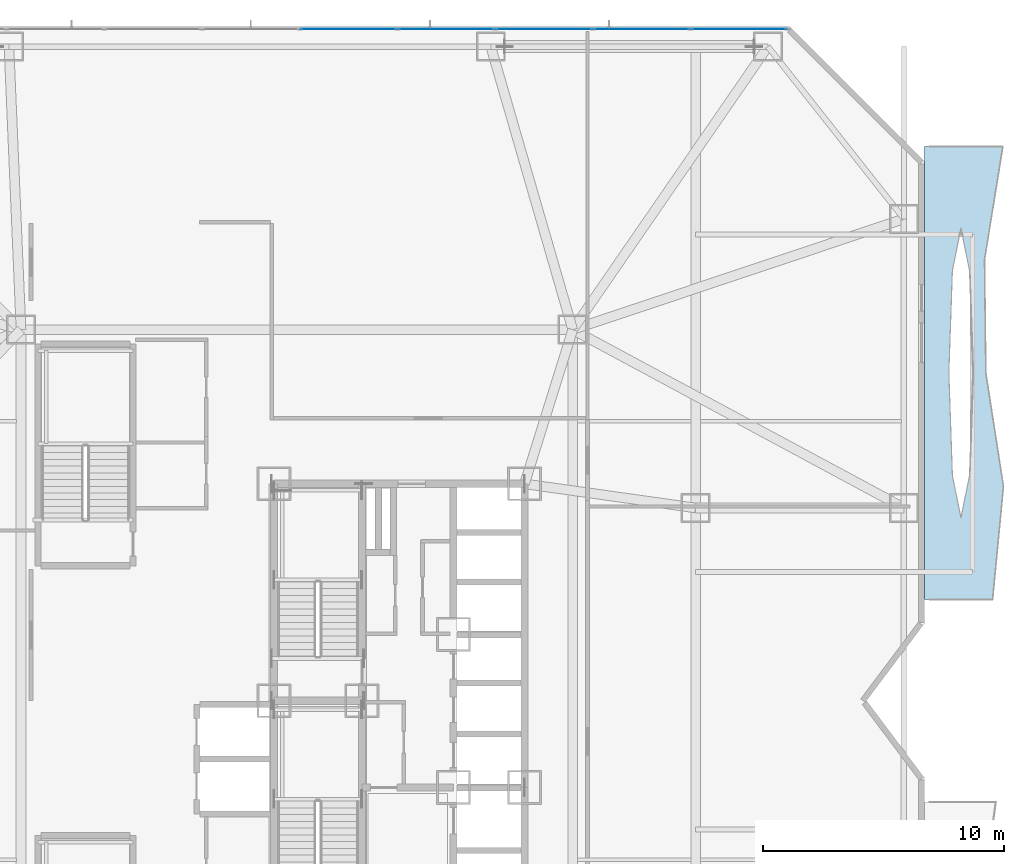
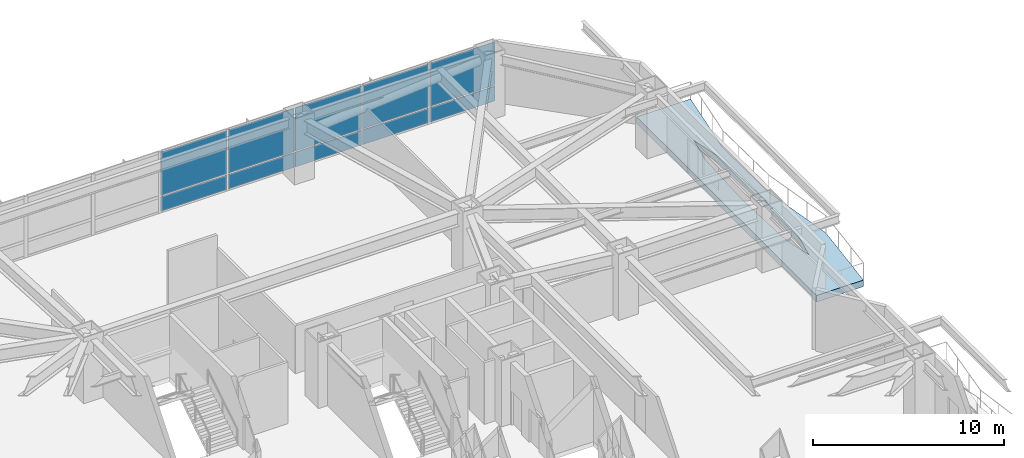
# One storey, part 13 of 24: 10 plates, 1 slab, 1 element without a shape of its own.
"""IFC4 building model written with IfcOpenShell, lengths in metres."""

from ifc_helpers import new_model, si_unit, direction, frame, origin, origin_2d, place, context, subcontext, project, spatial, polyline, rectangle, outline, extrude, material, layer, layer_set, type_object, element, aggregate, save


model = new_model("IFC4")

# Units and contexts
model_context = context("Model", 3, precision=1e-05, world=origin(), true_north=direction((0.0, 1.0)))
body_context = subcontext(model_context, "Body", "Model", "MODEL_VIEW")
ifc_project = project(units=[si_unit("LENGTHUNIT", "METRE"), si_unit("AREAUNIT", "SQUARE_METRE"), si_unit("VOLUMEUNIT", "CUBIC_METRE"), si_unit("PLANEANGLEUNIT", "RADIAN"), si_unit("MASSUNIT", "GRAM", prefix="KILO")], contexts=[model_context])

# Site, building, storey
site_placement = place(None, origin())
site = spatial("IfcSite", under=ifc_project, at=site_placement, CompositionType="ELEMENT")
building_placement = place(site_placement, origin())
building = spatial("IfcBuilding", under=site, at=building_placement, Name="Khamvora Tower", CompositionType="ELEMENT")
storey_placement = place(building_placement, frame((0.0, 0.0, 20.39990234375)))
storey = spatial("IfcBuildingStorey", under=building, at=storey_placement, Name="L04", CompositionType="ELEMENT", Elevation=20.39990234375)

# Curtain wall, plates
ifc_material_1 = material(Name="Anodised Aluminium 6063-T6", Category="aluminium")
curtain_wall_type = type_object("IfcCurtainWallType", Name="CW-SYS-01", PredefinedType="NOTDEFINED", material=ifc_material_1)
curtain_wall_placement = place(storey_placement, origin())
curtain_wall = element("IfcCurtainWall", 1, at=curtain_wall_placement, inside=storey, type_object=curtain_wall_type, Name="L04 stick curtain wall 07.1", PredefinedType="NOTDEFINED")
ifc_material_2 = material(Name="Low-E Laminated Double Glazing", Category="glass")
ifc_layer_1 = layer(ifc_material_2, 0.035888671875)
ifc_layer_set_1 = layer_set([ifc_layer_1], Name="Low-E Laminated Double Glazing")
plate_type = type_object("IfcPlateType", Name="CW-SYS-01-PNL", PredefinedType="CURTAIN_PANEL", material=ifc_layer_set_1)
plate_1_placement = place(storey_placement, frame((32.09521484375, 55.8798828125, 0.0751953125), z_axis=(0.0, 0.0, 1.0), x_axis=(1.0, 0.0, 0.0)))
plate_1 = element("IfcPlate", 2, at=plate_1_placement, type_object=plate_type, Name="CW-01 panel 7.1", PredefinedType="CURTAIN_PANEL", context=body_context, shape_type="SweptSolid", body=[
    extrude(rectangle(XDim=3.981689453125, YDim=0.035888671875, at=origin_2d()), origin(), (0.0, 0.0, 1.0), 0.9375),
])
plate_2_placement = place(storey_placement, frame((32.09521484375, 55.8798828125, 1.08740234375), z_axis=(0.0, 0.0, 1.0), x_axis=(1.0, 0.0, 0.0)))
plate_2 = element("IfcPlate", 3, at=plate_2_placement, type_object=plate_type, Name="CW-01 panel 7.2", PredefinedType="CURTAIN_PANEL", context=body_context, shape_type="SweptSolid", body=[
    extrude(rectangle(XDim=3.981689453125, YDim=0.035888671875, at=origin_2d()), origin(), (0.0, 0.0, 1.0), 2.757568359375),
])
plate_3_placement = place(storey_placement, frame((36.15185546875, 55.8798828125, 0.0751953125), z_axis=(0.0, 0.0, 1.0), x_axis=(1.0, 0.0, 0.0)))
plate_3 = element("IfcPlate", 4, at=plate_3_placement, type_object=plate_type, Name="CW-01 panel 8.1", PredefinedType="CURTAIN_PANEL", context=body_context, shape_type="SweptSolid", body=[
    extrude(rectangle(XDim=3.981689453125, YDim=0.035888671875, at=origin_2d()), origin(), (0.0, 0.0, 1.0), 0.9375),
])
plate_4_placement = place(storey_placement, frame((36.15185546875, 55.8798828125, 1.08740234375), z_axis=(0.0, 0.0, 1.0), x_axis=(1.0, 0.0, 0.0)))
plate_4 = element("IfcPlate", 5, at=plate_4_placement, type_object=plate_type, Name="CW-01 panel 8.2", PredefinedType="CURTAIN_PANEL", context=body_context, shape_type="SweptSolid", body=[
    extrude(rectangle(XDim=3.981689453125, YDim=0.035888671875, at=origin_2d()), origin(), (0.0, 0.0, 1.0), 2.757568359375),
])
plate_5_placement = place(storey_placement, frame((40.20849609375, 55.8798828125, 0.0751953125), z_axis=(0.0, 0.0, 1.0), x_axis=(1.0, 0.0, 0.0)))
plate_5 = element("IfcPlate", 6, at=plate_5_placement, type_object=plate_type, Name="CW-01 panel 9.1", PredefinedType="CURTAIN_PANEL", context=body_context, shape_type="SweptSolid", body=[
    extrude(rectangle(XDim=3.981689453125, YDim=0.035888671875, at=origin_2d()), origin(), (0.0, 0.0, 1.0), 0.9375),
])
plate_6_placement = place(storey_placement, frame((40.20849609375, 55.8798828125, 1.08740234375), z_axis=(0.0, 0.0, 1.0), x_axis=(1.0, 0.0, 0.0)))
plate_6 = element("IfcPlate", 7, at=plate_6_placement, type_object=plate_type, Name="CW-01 panel 9.2", PredefinedType="CURTAIN_PANEL", context=body_context, shape_type="SweptSolid", body=[
    extrude(rectangle(XDim=3.981689453125, YDim=0.035888671875, at=origin_2d()), origin(), (0.0, 0.0, 1.0), 2.757568359375),
])
plate_7_placement = place(storey_placement, frame((44.26513671875, 55.8798828125, 0.0751953125), z_axis=(0.0, 0.0, 1.0), x_axis=(1.0, 0.0, 0.0)))
plate_7 = element("IfcPlate", 8, at=plate_7_placement, type_object=plate_type, Name="CW-01 panel 10.1", PredefinedType="CURTAIN_PANEL", context=body_context, shape_type="SweptSolid", body=[
    extrude(rectangle(XDim=3.981689453125, YDim=0.035888671875, at=origin_2d()), origin(), (0.0, 0.0, 1.0), 0.9375),
])
plate_8_placement = place(storey_placement, frame((44.26513671875, 55.8798828125, 1.08740234375), z_axis=(0.0, 0.0, 1.0), x_axis=(1.0, 0.0, 0.0)))
plate_8 = element("IfcPlate", 9, at=plate_8_placement, type_object=plate_type, Name="CW-01 panel 10.2", PredefinedType="CURTAIN_PANEL", context=body_context, shape_type="SweptSolid", body=[
    extrude(rectangle(XDim=3.981689453125, YDim=0.035888671875, at=origin_2d()), origin(), (0.0, 0.0, 1.0), 2.757568359375),
])
plate_9_placement = place(storey_placement, frame((48.302978515625, 55.8798828125, 0.0751953125), z_axis=(0.0, 0.0, 1.0), x_axis=(1.0, 0.0, 0.0)))
plate_9 = element("IfcPlate", 10, at=plate_9_placement, type_object=plate_type, Name="CW-01 panel 11.1", PredefinedType="CURTAIN_PANEL", context=body_context, shape_type="SweptSolid", body=[
    extrude(rectangle(XDim=3.944091796875, YDim=0.035888671875, at=origin_2d()), origin(), (0.0, 0.0, 1.0), 0.9375),
])
plate_10_placement = place(storey_placement, frame((48.302978515625, 55.8798828125, 1.08740234375), z_axis=(0.0, 0.0, 1.0), x_axis=(1.0, 0.0, 0.0)))
plate_10 = element("IfcPlate", 11, at=plate_10_placement, type_object=plate_type, Name="CW-01 panel 11.2", PredefinedType="CURTAIN_PANEL", context=body_context, shape_type="SweptSolid", body=[
    extrude(rectangle(XDim=3.944091796875, YDim=0.035888671875, at=origin_2d()), origin(), (0.0, 0.0, 1.0), 2.757568359375),
])
aggregate(curtain_wall, [plate_1, plate_2, plate_3, plate_4, plate_5, plate_6, plate_7, plate_8, plate_9, plate_10])

# Slab
ifc_material_3 = material(Name="Concrete C40/50", Category="concrete")
ifc_layer_2 = layer(ifc_material_3, 0.419921875)
ifc_layer_set_2 = layer_set([ifc_layer_2], Name="Concrete C40/50")
slab_type = type_object("IfcSlabType", Name="SLB-GRD-420", PredefinedType="FLOOR", material=ifc_layer_set_2)
slab_placement = place(storey_placement, frame((0.0, 0.0, -0.419921875)))
element("IfcSlab", 12, at=slab_placement, inside=storey, type_object=slab_type, Name="L04 external lens gallery slab EL2", PredefinedType="FLOOR", context=body_context, shape_type="SweptSolid", body=[
    extrude(outline(polyline([(58.826904296875, 32.199951171875), (59.278076171875, 36.89990234375), (58.5458984375, 41.60009765625), (58.491943359375, 46.300048828125), (59.2529296875, 51.0), (56.0, 51.0), (56.0, 32.199951171875), (58.826904296875, 32.199951171875)]), holes=[polyline([(58.01904296875, 41.60009765625), (57.87109375, 45.85400390625), (57.514892578125, 47.615966796875), (57.158935546875, 45.85400390625), (57.010986328125, 41.60009765625), (57.158935546875, 37.345947265625), (57.514892578125, 35.583984375), (57.87109375, 37.345947265625), (58.01904296875, 41.60009765625)])]), origin(), (0.0, 0.0, 1.0), 0.419921875),
])

save(model, "model.ifc")
